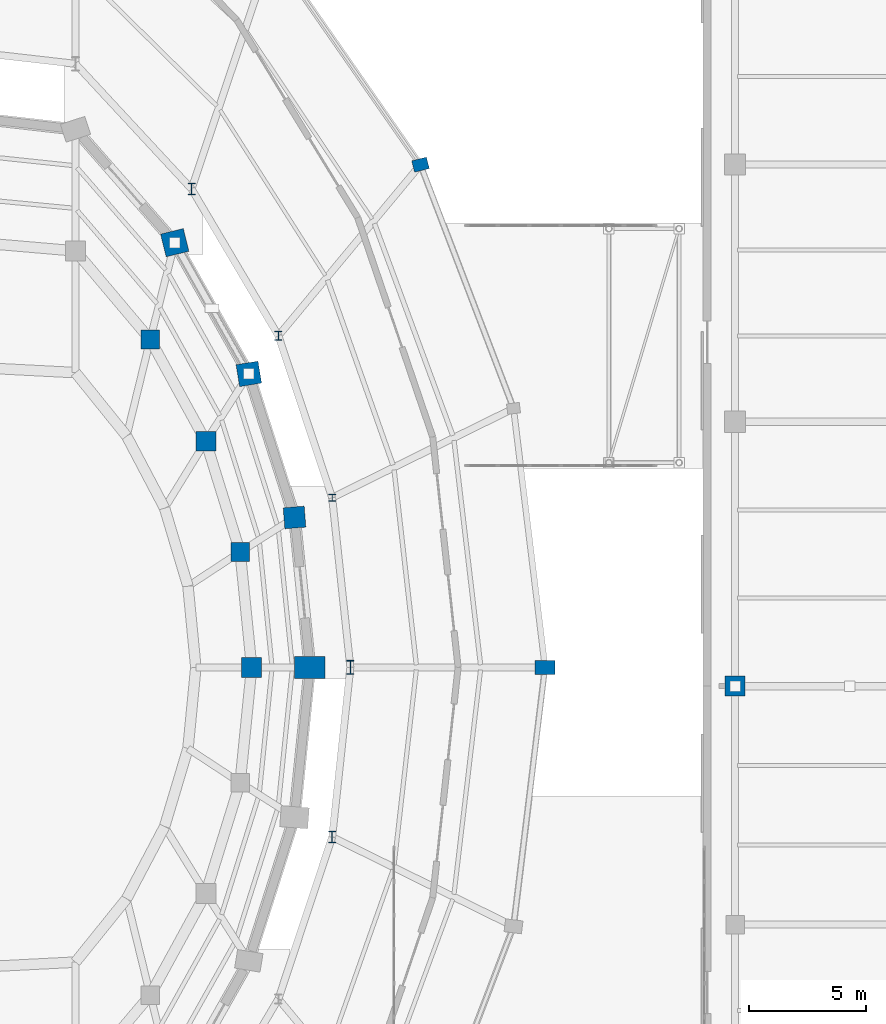
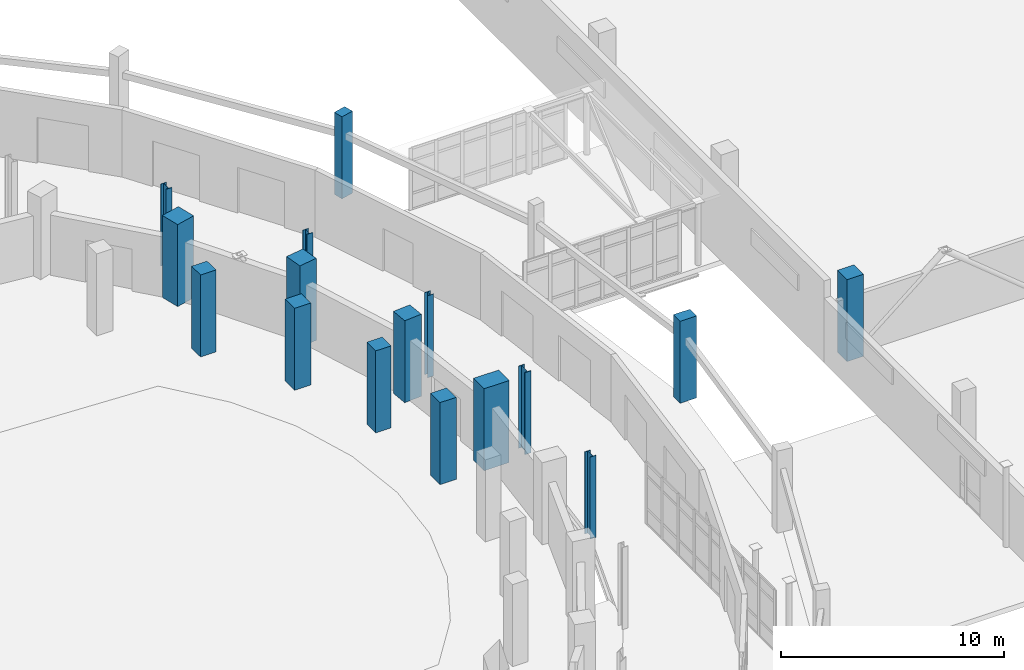
# One storey, part 23 of 122: 16 columns.
"""IFC4 building model written with IfcOpenShell, lengths in metres."""

from ifc_helpers import new_model, si_unit, direction, frame, origin, origin_2d, place, context, subcontext, project, spatial, rectangle, i_section, extrude, material, material_profile, profile_set, type_object, element, save


model = new_model("IFC4")

# Units and contexts
model_context = context("Model", 3, precision=1e-05, world=origin(), true_north=direction((0.0, 1.0)))
body_context = subcontext(model_context, "Body", "Model", "MODEL_VIEW")
ifc_project = project(units=[si_unit("LENGTHUNIT", "METRE"), si_unit("AREAUNIT", "SQUARE_METRE"), si_unit("VOLUMEUNIT", "CUBIC_METRE"), si_unit("PLANEANGLEUNIT", "RADIAN"), si_unit("MASSUNIT", "GRAM", prefix="KILO")], contexts=[model_context])

# Site, building, storey
site_placement = place(None, origin())
site = spatial("IfcSite", under=ifc_project, at=site_placement, CompositionType="ELEMENT")
building_placement = place(site_placement, origin())
building = spatial("IfcBuilding", under=site, at=building_placement, Name="Sohan Crest Arena", CompositionType="ELEMENT")
storey_placement = place(building_placement, origin())
storey = spatial("IfcBuildingStorey", under=building, at=storey_placement, Name="L00", CompositionType="ELEMENT", Elevation=0.0)

# Columns
ifc_material_1 = material(Name="Concrete C40/50", Category="concrete")
ifc_material_profile_1 = material_profile(ifc_material_1, rectangle(XDim=0.800048828125, YDim=0.800048828125, at=origin_2d()), Name="RC 800x800")
ifc_profile_set_1 = profile_set([ifc_material_profile_1], Name="Concrete C40/50")
column_type_1 = type_object("IfcColumnType", Name="STR-COL-C05", PredefinedType="COLUMN", material=ifc_profile_set_1)
for number, where, z_axis, x_axis, name in (
    (1, (175.037109375, 82.929931640625, 0.0), (0.0, 0.0, 1.0), (1.0, 0.0, 0.0), "Structural column COL-V1M-25-L00"),
    (2, (171.194091796875, 92.011962890625, 0.0), (0.0, 0.0, 1.0), (1.0, 0.0, 0.0), "Structural column COL-V1M-27-L00"),
):
    element("IfcColumn", number, at=place(storey_placement, frame(where, z_axis=z_axis, x_axis=x_axis)), inside=storey, type_object=column_type_1, Name=name, PredefinedType="COLUMN", context=body_context, shape_type="SweptSolid", body=[
        extrude(rectangle(XDim=0.800048828125, YDim=0.800048828125, at=origin_2d()), origin(), (0.0, 0.0, 1.0), 4.5),
    ])
ifc_material_profile_2 = material_profile(ifc_material_1, rectangle(XDim=0.85009765625, YDim=0.85009765625, at=origin_2d()), Name="RC 850x850")
ifc_profile_set_2 = profile_set([ifc_material_profile_2], Name="Concrete C40/50")
column_type_2 = type_object("IfcColumnType", Name="STR-COL-C06", PredefinedType="COLUMN", material=ifc_profile_set_2)
for number, where, z_axis, x_axis, name in (
    (3, (175.531982421875, 78.0, 0.0), (0.0, 0.0, 1.0), (1.0, 0.0, 0.0), "Structural column COL-V1M-24-L00"),
    (4, (173.571044921875, 87.6640625, 0.0), (0.0, 0.0, 1.0), (1.0, 0.0, 0.0), "Structural column COL-V1M-26-L00"),
    (5, (196.199951171875, 77.199951171875, 0.0), (0.0, 0.0, 1.0), (1.0, 0.0, 0.0), "Structural column COL-V4S-14-L00"),
):
    element("IfcColumn", number, at=place(storey_placement, frame(where, z_axis=z_axis, x_axis=x_axis)), inside=storey, type_object=column_type_2, Name=name, PredefinedType="COLUMN", context=body_context, shape_type="SweptSolid", body=[
        extrude(rectangle(XDim=0.85009765625, YDim=0.85009765625, at=origin_2d()), origin(), (0.0, 0.0, 1.0), 4.5),
    ])
ifc_material_profile_3 = material_profile(ifc_material_1, rectangle(XDim=0.89990234375, YDim=0.89990234375, at=origin_2d()), Name="RC 900x900")
ifc_profile_set_3 = profile_set([ifc_material_profile_3], Name="Concrete C40/50")
column_type_3 = type_object("IfcColumnType", Name="STR-COL-C07", PredefinedType="COLUMN", material=ifc_profile_set_3)
column_1_placement = place(storey_placement, frame((177.363037109375, 84.406982421875, 0.0), z_axis=(0.0, 0.0, 1.0), x_axis=(0.996778878456, 0.080198924329, 0.0)))
element("IfcColumn", 6, at=column_1_placement, inside=storey, type_object=column_type_3, Name="Structural column COL-V1R-25-L00", PredefinedType="COLUMN", context=body_context, shape_type="SweptSolid", body=[
    extrude(rectangle(XDim=0.89990234375, YDim=0.89990234375, at=origin_2d()), origin(), (0.0, 0.0, 1.0), 4.5),
])
ifc_material_profile_4 = material_profile(ifc_material_1, rectangle(XDim=0.949951171875, YDim=0.949951171875, at=origin_2d()), Name="RC 950x950")
ifc_profile_set_4 = profile_set([ifc_material_profile_4], Name="Concrete C40/50")
column_type_4 = type_object("IfcColumnType", Name="STR-COL-C08", PredefinedType="COLUMN", material=ifc_profile_set_4)
column_2_placement = place(storey_placement, frame((175.408935546875, 90.544921875, 0.0), z_axis=(0.0, 0.0, 1.0), x_axis=(0.987136265073, 0.159881187692, 0.0)))
element("IfcColumn", 7, at=column_2_placement, inside=storey, type_object=column_type_4, Name="Structural column COL-V1R-26-L00", PredefinedType="COLUMN", context=body_context, shape_type="SweptSolid", body=[
    extrude(rectangle(XDim=0.949951171875, YDim=0.949951171875, at=origin_2d()), origin(), (0.0, 0.0, 1.0), 4.5),
])
ifc_material_profile_5 = material_profile(ifc_material_1, rectangle(XDim=1.0, YDim=1.0, at=origin_2d()), Name="RC 1000x1000")
ifc_profile_set_5 = profile_set([ifc_material_profile_5], Name="Concrete C40/50")
column_type_5 = type_object("IfcColumnType", Name="STR-COL-C09", PredefinedType="COLUMN", material=ifc_profile_set_5)
column_3_placement = place(storey_placement, frame((172.242919921875, 96.154052734375, 0.0), z_axis=(0.0, 0.0, 1.0), x_axis=(0.971549119998, 0.236838146066, 0.0)))
element("IfcColumn", 8, at=column_3_placement, inside=storey, type_object=column_type_5, Name="Structural column COL-V1R-27-L00", PredefinedType="COLUMN", context=body_context, shape_type="SweptSolid", body=[
    extrude(rectangle(XDim=1.0, YDim=1.0, at=origin_2d()), origin(), (0.0, 0.0, 1.0), 4.5),
])
ifc_material_profile_6 = material_profile(ifc_material_1, rectangle(XDim=1.300048828125, YDim=0.949951171875, at=origin_2d()), Name="RC 1300x950")
ifc_profile_set_6 = profile_set([ifc_material_profile_6], Name="Concrete C40/50")
column_type_6 = type_object("IfcColumnType", Name="STR-COL-C12", PredefinedType="COLUMN", material=ifc_profile_set_6)
column_4_placement = place(storey_placement, frame((178.02294921875, 78.0, 0.0), z_axis=(0.0, 0.0, 1.0), x_axis=(1.0, 0.0, 0.0)))
element("IfcColumn", 9, at=column_4_placement, inside=storey, type_object=column_type_6, Name="Structural column COL-V1R-24-L00", PredefinedType="COLUMN", context=body_context, shape_type="SweptSolid", body=[
    extrude(rectangle(XDim=1.300048828125, YDim=0.949951171875, at=origin_2d()), origin(), (0.0, 0.0, 1.0), 4.5),
])
ifc_material_2 = material(Name="Steel S355", Category="steel")
ifc_material_profile_7 = material_profile(ifc_material_2, i_section(OverallWidth=0.300048828125, OverallDepth=0.300048828125, WebThickness=0.010986328125, FlangeThickness=0.01904296875, at=origin_2d()), Name="HEB 300")
ifc_profile_set_7 = profile_set([ifc_material_profile_7], Name="Steel S355")
column_type_7 = type_object("IfcColumnType", Name="STR-COL-C17", PredefinedType="COLUMN", material=ifc_profile_set_7)
column_5_placement = place(storey_placement, frame((178.971923828125, 85.251953125, 0.0), z_axis=(0.0, 0.0, 1.0), x_axis=(1.0, 0.0, 0.0)))
element("IfcColumn", 10, at=column_5_placement, inside=storey, type_object=column_type_7, Name="Structural column COL-V2I-25-L00", PredefinedType="COLUMN", context=body_context, shape_type="SweptSolid", body=[
    extrude(i_section(OverallWidth=0.300048828125, OverallDepth=0.300048828125, WebThickness=0.010986328125, FlangeThickness=0.01904296875, at=origin_2d()), origin(), (0.0, 0.0, 1.0), 4.5),
])
ifc_material_profile_8 = material_profile(ifc_material_2, i_section(OverallWidth=0.300048828125, OverallDepth=0.39990234375, WebThickness=0.013427734375, FlangeThickness=0.02392578125, at=origin_2d()), Name="HEB 400")
ifc_profile_set_8 = profile_set([ifc_material_profile_8], Name="Steel S355")
column_type_8 = type_object("IfcColumnType", Name="STR-COL-C18", PredefinedType="COLUMN", material=ifc_profile_set_8)
column_6_placement = place(storey_placement, frame((176.674072265625, 92.175048828125, 0.0), z_axis=(0.0, 0.0, 1.0), x_axis=(1.0, 0.0, 0.0)))
element("IfcColumn", 11, at=column_6_placement, inside=storey, type_object=column_type_8, Name="Structural column COL-V2I-26-L00", PredefinedType="COLUMN", context=body_context, shape_type="SweptSolid", body=[
    extrude(i_section(OverallWidth=0.300048828125, OverallDepth=0.39990234375, WebThickness=0.013427734375, FlangeThickness=0.02392578125, at=origin_2d()), origin(), (0.0, 0.0, 1.0), 4.5),
])
ifc_material_profile_9 = material_profile(ifc_material_2, i_section(OverallWidth=0.300048828125, OverallDepth=0.5, WebThickness=0.014404296875, FlangeThickness=0.028076171875, at=origin_2d()), Name="HEB 500")
ifc_profile_set_9 = profile_set([ifc_material_profile_9], Name="Steel S355")
column_type_9 = type_object("IfcColumnType", Name="STR-COL-C19", PredefinedType="COLUMN", material=ifc_profile_set_9)
for number, where, z_axis, x_axis, name in (
    (12, (178.971923828125, 70.748046875, 0.0), (0.0, 0.0, 1.0), (1.0, 0.0, 0.0), "Structural column COL-V2I-23-L00"),
    (13, (172.9609375, 98.452880859375, 0.0), (0.0, 0.0, 1.0), (1.0, 0.0, 0.0), "Structural column COL-V2I-27-L00"),
):
    element("IfcColumn", number, at=place(storey_placement, frame(where, z_axis=z_axis, x_axis=x_axis)), inside=storey, type_object=column_type_9, Name=name, PredefinedType="COLUMN", context=body_context, shape_type="SweptSolid", body=[
        extrude(i_section(OverallWidth=0.300048828125, OverallDepth=0.5, WebThickness=0.014404296875, FlangeThickness=0.028076171875, at=origin_2d()), origin(), (0.0, 0.0, 1.0), 4.5),
    ])
ifc_material_profile_10 = material_profile(ifc_material_2, i_section(OverallWidth=0.300048828125, OverallDepth=0.60009765625, WebThickness=0.015380859375, FlangeThickness=0.030029296875, at=origin_2d()), Name="HEB 600")
ifc_profile_set_10 = profile_set([ifc_material_profile_10], Name="Steel S355")
column_type_10 = type_object("IfcColumnType", Name="STR-COL-C20", PredefinedType="COLUMN", material=ifc_profile_set_10)
column_7_placement = place(storey_placement, frame((179.75, 78.0, 0.0), z_axis=(0.0, 0.0, 1.0), x_axis=(1.0, 0.0, 0.0)))
element("IfcColumn", 14, at=column_7_placement, inside=storey, type_object=column_type_10, Name="Structural column COL-V2I-24-L00", PredefinedType="COLUMN", context=body_context, shape_type="SweptSolid", body=[
    extrude(i_section(OverallWidth=0.300048828125, OverallDepth=0.60009765625, WebThickness=0.015380859375, FlangeThickness=0.030029296875, at=origin_2d()), origin(), (0.0, 0.0, 1.0), 4.5),
])
ifc_material_profile_11 = material_profile(ifc_material_1, rectangle(XDim=0.64990234375, YDim=0.5, at=origin_2d()), Name="RC 650x500")
ifc_profile_set_11 = profile_set([ifc_material_profile_11], Name="Concrete C40/50")
column_type_11 = type_object("IfcColumnType", Name="STR-COL-PC02", PredefinedType="PILASTER", material=ifc_profile_set_11)
column_8_placement = place(storey_placement, frame((182.7490234375, 99.489013671875, 0.0), z_axis=(0.0, 0.0, 1.0), x_axis=(0.969445349895, 0.245307385879, 0.0)))
element("IfcColumn", 15, at=column_8_placement, inside=storey, type_object=column_type_11, Name="Structural column COL-V2O-26-L00", PredefinedType="PILASTER", context=body_context, shape_type="SweptSolid", body=[
    extrude(rectangle(XDim=0.64990234375, YDim=0.5, at=origin_2d()), origin(), (0.0, 0.0, 1.0), 4.5),
])
ifc_material_profile_12 = material_profile(ifc_material_1, rectangle(XDim=0.85009765625, YDim=0.60009765625, at=origin_2d()), Name="RC 850x600")
ifc_profile_set_12 = profile_set([ifc_material_profile_12], Name="Concrete C40/50")
column_type_12 = type_object("IfcColumnType", Name="STR-COL-PC04", PredefinedType="PILASTER", material=ifc_profile_set_12)
column_9_placement = place(storey_placement, frame((188.076904296875, 78.0, 0.0), z_axis=(0.0, 0.0, 1.0), x_axis=(1.0, 0.0, 0.0)))
element("IfcColumn", 16, at=column_9_placement, inside=storey, type_object=column_type_12, Name="Structural column COL-V2O-24-L00", PredefinedType="PILASTER", context=body_context, shape_type="SweptSolid", body=[
    extrude(rectangle(XDim=0.85009765625, YDim=0.60009765625, at=origin_2d()), origin(), (0.0, 0.0, 1.0), 4.5),
])

save(model, "model.ifc")
